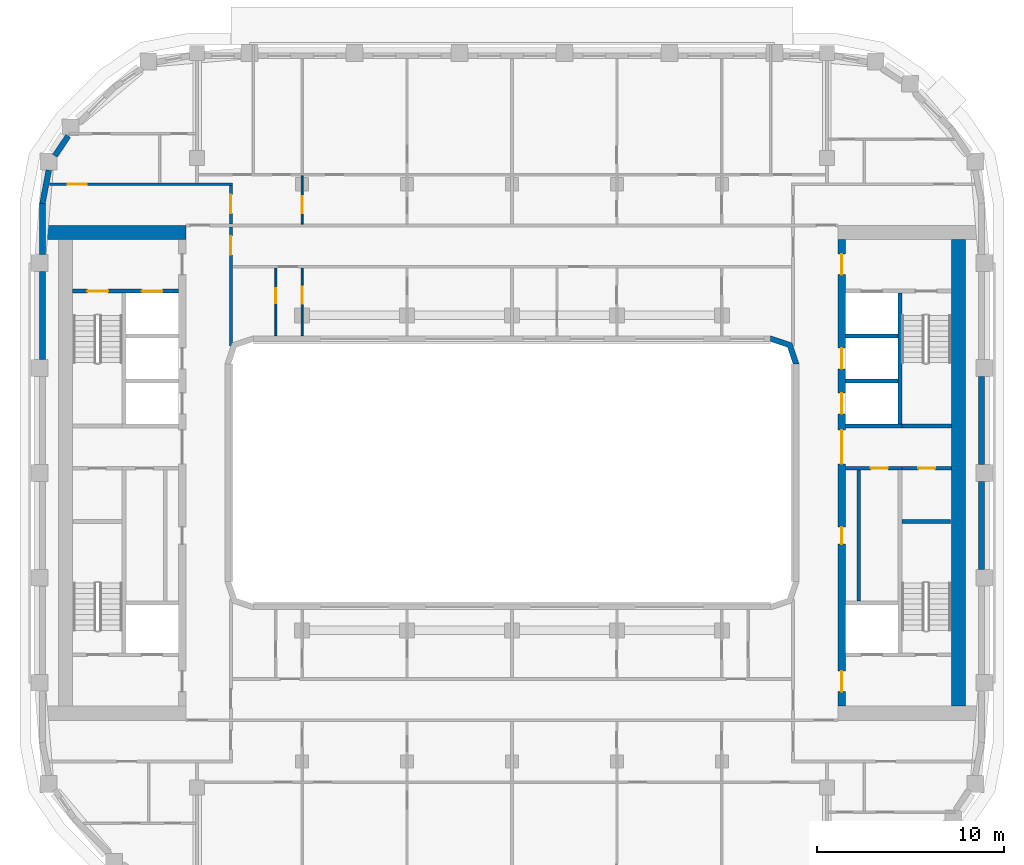
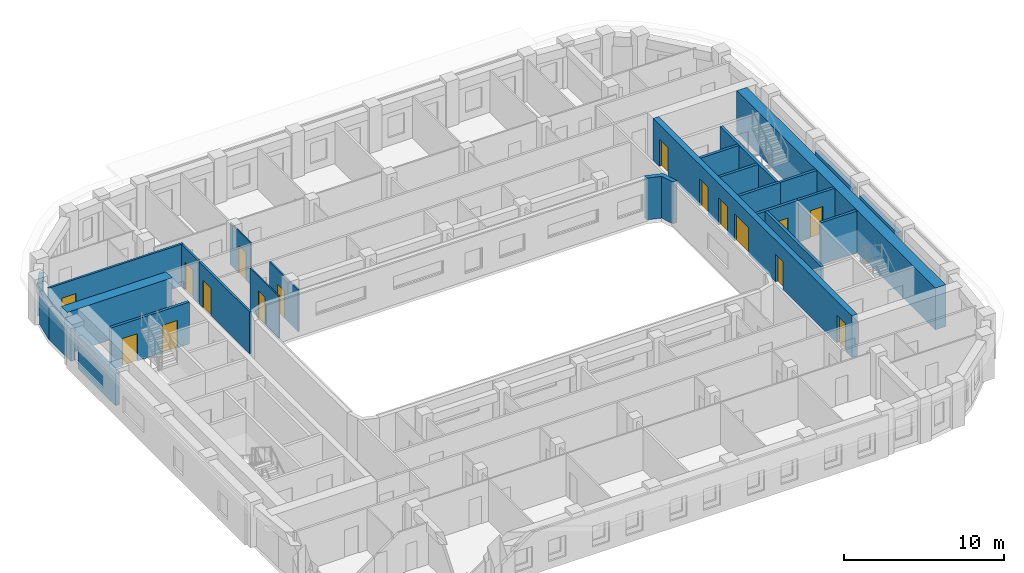
# One storey, part 6 of 20: 26 walls, 16 doors, 16 openings.
"""IFC4 building model written with IfcOpenShell, lengths in metres."""

from ifc_helpers import new_model, si_unit, direction, frame, frame_2d, origin, place, context, subcontext, project, spatial, polyline, rectangle, outline, extrude, material, layer, layer_set, type_object, element, fill, save


model = new_model("IFC4")

# Units and contexts
model_context = context("Model", 3, precision=1e-05, world=origin(), true_north=direction((0.0, 1.0)))
body_context = subcontext(model_context, "Body", "Model", "MODEL_VIEW")
ifc_project = project(units=[si_unit("LENGTHUNIT", "METRE"), si_unit("AREAUNIT", "SQUARE_METRE"), si_unit("VOLUMEUNIT", "CUBIC_METRE"), si_unit("PLANEANGLEUNIT", "RADIAN"), si_unit("MASSUNIT", "GRAM", prefix="KILO")], contexts=[model_context])

# Site, building, storey
site_placement = place(None, origin())
site = spatial("IfcSite", under=ifc_project, at=site_placement, CompositionType="ELEMENT")
building_placement = place(site_placement, origin())
building = spatial("IfcBuilding", under=site, at=building_placement, Name="Kiln Ring Residences", CompositionType="ELEMENT")
storey_placement = place(building_placement, frame((0.0, 0.0, 206.39990234375)))
storey = spatial("IfcBuildingStorey", under=building, at=storey_placement, Name="L53", CompositionType="ELEMENT", Elevation=206.39990234375)

# Wall, opening, door
ifc_material_1 = material(Name="Gypsum board on steel studs", Category="steel")
ifc_layer_1 = layer(ifc_material_1, 0.199951171875)
ifc_layer_set_1 = layer_set([ifc_layer_1], Name="CORE-PARTITION-200")
wall_type_1 = type_object("IfcWallType", Name="CORE-PARTITION-200", PredefinedType="PARTITIONING", material=ifc_layer_set_1)
wall_1_placement = place(storey_placement, frame((20.800048828125, 0.25, 0.0), z_axis=(0.0, 0.0, 1.0), x_axis=(1.0, 0.0, 0.0)))
wall_1 = element("IfcWall", 1, at=wall_1_placement, inside=storey, type_object=wall_type_1, Name="Core partition east L53 1", PredefinedType="PARTITIONING", context=body_context, shape_type="SweptSolid", body=[
    extrude(rectangle(XDim=2.64990234375, YDim=0.199951171875, at=frame_2d((1.324951171875, 0.0))), origin(), (0.0, 0.0, 1.0), 3.2001953125),
])
opening_1_placement = place(wall_1_placement, frame((0.875, 0.0, 0.0)))
opening_1 = element("IfcOpeningElement", 2, at=opening_1_placement, cuts=wall_1, Name="Opening L53-CE12", PredefinedType="OPENING", context=body_context, shape_type="SweptSolid", body=[
    extrude(rectangle(XDim=0.89990234375, YDim=2.10009765625, at=frame_2d((0.449951171875, 1.050048828125))), frame((0.0, 0.10986328125, 0.0), z_axis=(0.0, -1.0, 0.0), x_axis=(1.0, 0.0, 0.0)), (0.0, 0.0, 1.0), 0.219970703125),
])
ifc_material_2 = material(Name="Steel door leaf", Category="steel")
door_type_1 = type_object("IfcDoorType", Name="CORE-DOOR-ROOM", OperationType="SINGLE_SWING_LEFT", PredefinedType="DOOR", material=ifc_material_2)
door_1_placement = place(opening_1_placement, origin())
door_1 = element("IfcDoor", 3, at=door_1_placement, inside=storey, type_object=door_type_1, Name="Comms room L53-CE12", OperationType="SINGLE_SWING_LEFT", OverallHeight=2.10009765625, OverallWidth=0.89990234375, PredefinedType="DOOR", context=body_context, shape_type="SweptSolid", body=[
    extrude(rectangle(XDim=0.89990234375, YDim=2.10009765625, at=frame_2d((0.449951171875, 1.050048828125))), frame((0.0, 0.02490234375, 0.0), z_axis=(0.0, -1.0, 0.0), x_axis=(1.0, 0.0, 0.0)), (0.0, 0.0, 1.0), 0.050048828125),
])
fill(opening_1, door_1)

# Wall
wall_2_placement = place(storey_placement, frame((18.5, -6.85009765625, 0.0), z_axis=(0.0, 0.0, 1.0), x_axis=(0.0, 1.0, 0.0)))
element("IfcWall", 4, at=wall_2_placement, inside=storey, type_object=wall_type_1, Name="Core partition east L53 2", PredefinedType="PARTITIONING", context=body_context, shape_type="SweptSolid", body=[
    extrude(rectangle(XDim=7.0, YDim=0.199951171875, at=frame_2d((3.5, 0.0))), origin(), (0.0, 0.0, 1.0), 3.2001953125),
])

# Wall, opening, door
ifc_material_3 = material(Name="Gypsum shaft wall system")
ifc_layer_2 = layer(ifc_material_3, 0.199951171875)
ifc_layer_set_2 = layer_set([ifc_layer_2], Name="CORE-SHAFT-WALL-200")
wall_type_2 = type_object("IfcWallType", Name="CORE-SHAFT-WALL-200", PredefinedType="PARTITIONING", material=ifc_layer_set_2)
wall_3_placement = place(storey_placement, frame((17.800048828125, 0.25, 0.0), z_axis=(0.0, 0.0, 1.0), x_axis=(1.0, 0.0, 0.0)))
wall_3 = element("IfcWall", 5, at=wall_3_placement, inside=storey, type_object=wall_type_2, Name="Core partition east L53 4", PredefinedType="PARTITIONING", context=body_context, shape_type="SweptSolid", body=[
    extrude(rectangle(XDim=3.0, YDim=0.199951171875, at=frame_2d((1.5, 0.0))), origin(), (0.0, 0.0, 1.0), 3.2001953125),
])
opening_2_placement = place(wall_3_placement, frame((1.35009765625, 0.0, 0.0)))
opening_2 = element("IfcOpeningElement", 6, at=opening_2_placement, cuts=wall_3, Name="Opening L53-CE03", PredefinedType="OPENING", context=body_context, shape_type="SweptSolid", body=[
    extrude(rectangle(XDim=0.89990234375, YDim=2.10009765625, at=frame_2d((0.449951171875, 1.050048828125))), frame((0.0, 0.10986328125, 0.0), z_axis=(0.0, -1.0, 0.0), x_axis=(1.0, 0.0, 0.0)), (0.0, 0.0, 1.0), 0.219970703125),
])
door_2_placement = place(opening_2_placement, origin())
door_2 = element("IfcDoor", 7, at=door_2_placement, inside=storey, type_object=door_type_1, Name="Service store L53-CE03", OperationType="SINGLE_SWING_RIGHT", OverallHeight=2.10009765625, OverallWidth=0.89990234375, PredefinedType="DOOR", context=body_context, shape_type="SweptSolid", body=[
    extrude(rectangle(XDim=0.89990234375, YDim=2.10009765625, at=frame_2d((0.449951171875, 1.050048828125))), frame((0.0, 0.02490234375, 0.0), z_axis=(0.0, -1.0, 0.0), x_axis=(1.0, 0.0, 0.0)), (0.0, 0.0, 1.0), 0.050048828125),
])
fill(opening_2, door_2)

# Walls
wall_4_placement = place(storey_placement, frame((17.800048828125, 2.5, 0.0), z_axis=(0.0, 0.0, 1.0), x_axis=(1.0, 0.0, 0.0)))
element("IfcWall", 8, at=wall_4_placement, inside=storey, type_object=wall_type_2, Name="Core partition east L53 5", PredefinedType="PARTITIONING", context=body_context, shape_type="SweptSolid", body=[
    extrude(rectangle(XDim=3.0, YDim=0.199951171875, at=frame_2d((1.5, 0.0))), origin(), (0.0, 0.0, 1.0), 3.2001953125),
])
for number, where, z_axis, x_axis, name in (
    (9, (17.800048828125, 4.89990234375, 0.0), (0.0, 0.0, 1.0), (1.0, 0.0, 0.0), "Core partition east L53 6"),
    (10, (17.800048828125, 7.300048828125, 0.0), (0.0, 0.0, 1.0), (1.0, 0.0, 0.0), "Core partition east L53 7"),
):
    element("IfcWall", number, at=place(storey_placement, frame(where, z_axis=z_axis, x_axis=x_axis)), inside=storey, type_object=wall_type_2, Name=name, PredefinedType="PARTITIONING", context=body_context, shape_type="SweptSolid", body=[
        extrude(rectangle(XDim=2.800048828125, YDim=0.199951171875, at=frame_2d((1.39990234375, 0.0))), origin(), (0.0, 0.0, 1.0), 3.2001953125),
    ])

# Wall, openings, doors
ifc_material_4 = material(Name="Concrete C40/50", Category="concrete")
ifc_layer_3 = layer(ifc_material_4, 0.199951171875)
ifc_layer_set_3 = layer_set([ifc_layer_3], Name="CORE-WALL-RC200")
wall_type_3 = type_object("IfcWallType", Name="CORE-WALL-RC200", PredefinedType="SHEAR", material=ifc_layer_set_3)
wall_5_placement = place(storey_placement, frame((-17.800048828125, 9.699951171875, 0.0), z_axis=(0.0, 0.0, 1.0), x_axis=(-1.0, 0.0, 0.0)))
wall_5 = element("IfcWall", 11, at=wall_5_placement, inside=storey, type_object=wall_type_3, Name="Core wall west L53 9", PredefinedType="SHEAR", context=body_context, shape_type="SweptSolid", body=[
    extrude(rectangle(XDim=5.64990234375, YDim=0.199951171875, at=frame_2d((2.824951171875, 0.0))), origin(), (0.0, 0.0, 1.0), 3.2001953125),
])
opening_3_placement = place(wall_5_placement, frame((0.85009765625, 0.0, 0.0)))
opening_3 = element("IfcOpeningElement", 12, at=opening_3_placement, cuts=wall_5, Name="Opening L53-CW06", PredefinedType="OPENING", context=body_context, shape_type="SweptSolid", body=[
    extrude(rectangle(XDim=1.10009765625, YDim=2.10009765625, at=frame_2d((0.550048828125, 1.050048828125))), frame((0.0, 0.10986328125, 0.0), z_axis=(0.0, -1.0, 0.0), x_axis=(1.0, 0.0, 0.0)), (0.0, 0.0, 1.0), 0.219970703125),
])
opening_4_placement = place(wall_5_placement, frame((3.75, 0.0, 0.0)))
opening_4 = element("IfcOpeningElement", 13, at=opening_4_placement, cuts=wall_5, Name="Opening L53-CW09", PredefinedType="OPENING", context=body_context, shape_type="SweptSolid", body=[
    extrude(rectangle(XDim=1.10009765625, YDim=2.10009765625, at=frame_2d((0.550048828125, 1.050048828125))), frame((0.0, 0.10986328125, 0.0), z_axis=(0.0, -1.0, 0.0), x_axis=(1.0, 0.0, 0.0)), (0.0, 0.0, 1.0), 0.219970703125),
])
ifc_material_5 = material(Name="Steel door leaf", Category="steel")
door_type_2 = type_object("IfcDoorType", Name="CORE-DOOR-LD", OperationType="DOUBLE_DOOR_SLIDING", PredefinedType="DOOR", material=ifc_material_5)
door_3_placement = place(opening_3_placement, origin())
door_3 = element("IfcDoor", 14, at=door_3_placement, inside=storey, type_object=door_type_2, Name="LD W-FF L53-CW06", OperationType="DOUBLE_DOOR_SLIDING", OverallHeight=2.10009765625, OverallWidth=1.10009765625, PredefinedType="DOOR", context=body_context, shape_type="SweptSolid", body=[
    extrude(rectangle(XDim=1.10009765625, YDim=2.10009765625, at=frame_2d((0.550048828125, 1.050048828125))), frame((0.0, 0.02490234375, 0.0), z_axis=(0.0, -1.0, 0.0), x_axis=(1.0, 0.0, 0.0)), (0.0, 0.0, 1.0), 0.050048828125),
])
fill(opening_3, door_3)
ifc_material_6 = material(Name="Steel door leaf", Category="steel")
door_type_3 = type_object("IfcDoorType", Name="CORE-DOOR-STAIR", OperationType="SINGLE_SWING_LEFT", PredefinedType="DOOR", material=ifc_material_6)
door_4_placement = place(opening_4_placement, origin())
door_4 = element("IfcDoor", 15, at=door_4_placement, inside=storey, type_object=door_type_3, Name="Stair W-STN L53-CW09", OperationType="SINGLE_SWING_LEFT", OverallHeight=2.10009765625, OverallWidth=1.10009765625, PredefinedType="DOOR", context=body_context, shape_type="SweptSolid", body=[
    extrude(rectangle(XDim=1.10009765625, YDim=2.10009765625, at=frame_2d((0.550048828125, 1.050048828125))), frame((0.0, 0.02490234375, 0.0), z_axis=(0.0, -1.0, 0.0), x_axis=(1.0, 0.0, 0.0)), (0.0, 0.0, 1.0), 0.050048828125),
])
fill(opening_4, door_4)

# Walls
wall_6_placement = place(storey_placement, frame((20.699951171875, 2.60009765625, 0.0), z_axis=(0.0, 0.0, 1.0), x_axis=(0.0, 1.0, 0.0)))
element("IfcWall", 16, at=wall_6_placement, inside=storey, type_object=wall_type_3, Name="Core wall east L53 1", PredefinedType="SHEAR", context=body_context, shape_type="SweptSolid", body=[
    extrude(rectangle(XDim=7.0, YDim=0.199951171875, at=frame_2d((3.5, 0.0))), origin(), (0.0, 0.0, 1.0), 3.2001953125),
])
wall_7_placement = place(storey_placement, frame((20.800048828125, 2.5, 0.0), z_axis=(0.0, 0.0, 1.0), x_axis=(1.0, 0.0, 0.0)))
element("IfcWall", 17, at=wall_7_placement, inside=storey, type_object=wall_type_3, Name="Core wall east L53 3", PredefinedType="SHEAR", context=body_context, shape_type="SweptSolid", body=[
    extrude(rectangle(XDim=2.64990234375, YDim=0.199951171875, at=frame_2d((1.324951171875, 0.0))), origin(), (0.0, 0.0, 1.0), 3.2001953125),
])
wall_8_placement = place(storey_placement, frame((20.800048828125, -2.60009765625, 0.0), z_axis=(0.0, 0.0, 1.0), x_axis=(1.0, 0.0, 0.0)))
element("IfcWall", 18, at=wall_8_placement, inside=storey, type_object=wall_type_3, Name="Core wall east L53 10", PredefinedType="SHEAR", context=body_context, shape_type="SweptSolid", body=[
    extrude(rectangle(XDim=2.599853515625, YDim=0.199951171875, at=frame_2d((1.2998046875, 0.0))), origin(), (0.0, 0.0, 1.0), 3.2001953125),
])

# Wall, openings, doors
ifc_material_7 = material(Name="Concrete C60/75", Category="concrete")
ifc_layer_4 = layer(ifc_material_7, 0.39990234375)
ifc_layer_set_4 = layer_set([ifc_layer_4], Name="CORE-WALL-RC400")
wall_type_4 = type_object("IfcWallType", Name="CORE-WALL-RC400", PredefinedType="SHEAR", material=ifc_layer_set_4)
wall_9_placement = place(storey_placement, frame((17.60009765625, -12.449951171875, 0.0), z_axis=(0.0, 0.0, 1.0), x_axis=(0.0, 1.0, 0.0)))
wall_9 = element("IfcWall", 19, at=wall_9_placement, inside=storey, type_object=wall_type_4, Name="Core wall east L53 6", PredefinedType="SHEAR", context=body_context, shape_type="SweptSolid", body=[
    extrude(rectangle(XDim=24.89990234375, YDim=0.39990234375, at=frame_2d((12.449951171875, 0.0))), origin(), (0.0, 0.0, 1.0), 3.2001953125),
])
opening_5_placement = place(wall_9_placement, frame((8.64990234375, 0.0, 0.0)))
opening_5 = element("IfcOpeningElement", 20, at=opening_5_placement, cuts=wall_9, Name="Opening L53-CE02", PredefinedType="OPENING", context=body_context, shape_type="SweptSolid", body=[
    extrude(rectangle(XDim=0.89990234375, YDim=2.10009765625, at=frame_2d((0.449951171875, 1.050048828125))), frame((0.0, 0.2099609375, 0.0), z_axis=(0.0, -1.0, 0.0), x_axis=(1.0, 0.0, 0.0)), (0.0, 0.0, 1.0), 0.419921875),
])
opening_6_placement = place(wall_9_placement, frame((15.60009765625, 0.0, 0.0)))
opening_6 = element("IfcOpeningElement", 21, at=opening_6_placement, cuts=wall_9, Name="Opening L53-CE04", PredefinedType="OPENING", context=body_context, shape_type="SweptSolid", body=[
    extrude(rectangle(XDim=1.10009765625, YDim=2.10009765625, at=frame_2d((0.550048828125, 1.050048828125))), frame((0.0, 0.2099609375, 0.0), z_axis=(0.0, -1.0, 0.0), x_axis=(1.0, 0.0, 0.0)), (0.0, 0.0, 1.0), 0.419921875),
])
opening_7_placement = place(wall_9_placement, frame((18.0, 0.0, 0.0)))
opening_7 = element("IfcOpeningElement", 22, at=opening_7_placement, cuts=wall_9, Name="Opening L53-CE05", PredefinedType="OPENING", context=body_context, shape_type="SweptSolid", body=[
    extrude(rectangle(XDim=1.10009765625, YDim=2.10009765625, at=frame_2d((0.550048828125, 1.050048828125))), frame((0.0, 0.2099609375, 0.0), z_axis=(0.0, -1.0, 0.0), x_axis=(1.0, 0.0, 0.0)), (0.0, 0.0, 1.0), 0.419921875),
])
opening_8_placement = place(wall_9_placement, frame((23.02490234375, 0.0, 0.0)))
opening_8 = element("IfcOpeningElement", 23, at=opening_8_placement, cuts=wall_9, Name="Opening L53-CE07", PredefinedType="OPENING", context=body_context, shape_type="SweptSolid", body=[
    extrude(rectangle(XDim=1.10009765625, YDim=2.10009765625, at=frame_2d((0.550048828125, 1.050048828125))), frame((0.0, 0.2099609375, 0.0), z_axis=(0.0, -1.0, 0.0), x_axis=(1.0, 0.0, 0.0)), (0.0, 0.0, 1.0), 0.419921875),
])
opening_9_placement = place(wall_9_placement, frame((0.77490234375, 0.0, 0.0)))
opening_9 = element("IfcOpeningElement", 24, at=opening_9_placement, cuts=wall_9, Name="Opening L53-CE08", PredefinedType="OPENING", context=body_context, shape_type="SweptSolid", body=[
    extrude(rectangle(XDim=1.10009765625, YDim=2.10009765625, at=frame_2d((0.550048828125, 1.050048828125))), frame((0.0, 0.2099609375, 0.0), z_axis=(0.0, -1.0, 0.0), x_axis=(1.0, 0.0, 0.0)), (0.0, 0.0, 1.0), 0.419921875),
])
opening_10_placement = place(wall_9_placement, frame((12.925048828125, 0.0, 0.0)))
opening_10 = element("IfcOpeningElement", 25, at=opening_10_placement, cuts=wall_9, Name="Opening L53-CE11", PredefinedType="OPENING", context=body_context, shape_type="SweptSolid", body=[
    extrude(rectangle(XDim=1.800048828125, YDim=2.10009765625, at=frame_2d((0.89990234375, 1.050048828125))), frame((0.0, 0.2099609375, 0.0), z_axis=(0.0, -1.0, 0.0), x_axis=(1.0, 0.0, 0.0)), (0.0, 0.0, 1.0), 0.419921875),
])
door_5_placement = place(opening_6_placement, origin())
door_5 = element("IfcDoor", 26, at=door_5_placement, inside=storey, type_object=door_type_2, Name="LD E-M1 L53-CE04", OperationType="DOUBLE_DOOR_SLIDING", OverallHeight=2.10009765625, OverallWidth=1.10009765625, PredefinedType="DOOR", context=body_context, shape_type="SweptSolid", body=[
    extrude(rectangle(XDim=1.10009765625, YDim=2.10009765625, at=frame_2d((0.550048828125, 1.050048828125))), frame((0.0, 0.02490234375, 0.0), z_axis=(0.0, -1.0, 0.0), x_axis=(1.0, 0.0, 0.0)), (0.0, 0.0, 1.0), 0.050048828125),
])
fill(opening_6, door_5)
door_6_placement = place(opening_7_placement, origin())
door_6 = element("IfcDoor", 27, at=door_6_placement, inside=storey, type_object=door_type_2, Name="LD E-M2 L53-CE05", OperationType="DOUBLE_DOOR_SLIDING", OverallHeight=2.10009765625, OverallWidth=1.10009765625, PredefinedType="DOOR", context=body_context, shape_type="SweptSolid", body=[
    extrude(rectangle(XDim=1.10009765625, YDim=2.10009765625, at=frame_2d((0.550048828125, 1.050048828125))), frame((0.0, 0.02490234375, 0.0), z_axis=(0.0, -1.0, 0.0), x_axis=(1.0, 0.0, 0.0)), (0.0, 0.0, 1.0), 0.050048828125),
])
fill(opening_7, door_6)
ifc_material_8 = material(Name="Steel door leaf", Category="steel")
door_type_4 = type_object("IfcDoorType", Name="CORE-DOOR-LOBBY", OperationType="SINGLE_SWING_LEFT", PredefinedType="DOOR", material=ifc_material_8)
door_7_placement = place(opening_8_placement, origin())
door_7 = element("IfcDoor", 28, at=door_7_placement, inside=storey, type_object=door_type_4, Name="FFL L53-CE07", OperationType="SINGLE_SWING_LEFT", OverallHeight=2.10009765625, OverallWidth=1.10009765625, PredefinedType="DOOR", context=body_context, shape_type="SweptSolid", body=[
    extrude(rectangle(XDim=1.10009765625, YDim=2.10009765625, at=frame_2d((0.550048828125, 1.050048828125))), frame((0.0, 0.02490234375, 0.0), z_axis=(0.0, -1.0, 0.0), x_axis=(1.0, 0.0, 0.0)), (0.0, 0.0, 1.0), 0.050048828125),
])
fill(opening_8, door_7)
door_8_placement = place(opening_9_placement, origin())
door_8 = element("IfcDoor", 29, at=door_8_placement, inside=storey, type_object=door_type_4, Name="SVL L53-CE08", OperationType="SINGLE_SWING_RIGHT", OverallHeight=2.10009765625, OverallWidth=1.10009765625, PredefinedType="DOOR", context=body_context, shape_type="SweptSolid", body=[
    extrude(rectangle(XDim=1.10009765625, YDim=2.10009765625, at=frame_2d((0.550048828125, 1.050048828125))), frame((0.0, 0.02490234375, 0.0), z_axis=(0.0, -1.0, 0.0), x_axis=(1.0, 0.0, 0.0)), (0.0, 0.0, 1.0), 0.050048828125),
])
fill(opening_9, door_8)
ifc_material_9 = material(Name="Steel door leaf", Category="steel")
door_type_5 = type_object("IfcDoorType", Name="CORE-DOOR-PASS", OperationType="DOUBLE_DOOR_SINGLE_SWING", PredefinedType="DOOR", material=ifc_material_9)
door_9_placement = place(opening_10_placement, origin())
door_9 = element("IfcDoor", 30, at=door_9_placement, inside=storey, type_object=door_type_5, Name="Core passage L53-CE11", OperationType="DOUBLE_DOOR_SINGLE_SWING", OverallHeight=2.10009765625, OverallWidth=1.800048828125, PredefinedType="DOOR", context=body_context, shape_type="SweptSolid", body=[
    extrude(rectangle(XDim=1.800048828125, YDim=2.10009765625, at=frame_2d((0.89990234375, 1.050048828125))), frame((0.0, 0.02490234375, 0.0), z_axis=(0.0, -1.0, 0.0), x_axis=(1.0, 0.0, 0.0)), (0.0, 0.0, 1.0), 0.050048828125),
])
fill(opening_10, door_9)
door_10_placement = place(opening_5_placement, origin())
door_10 = element("IfcDoor", 31, at=door_10_placement, inside=storey, type_object=door_type_1, Name="Locker store L53-CE02", OperationType="SINGLE_SWING_LEFT", OverallHeight=2.10009765625, OverallWidth=0.89990234375, PredefinedType="DOOR", context=body_context, shape_type="SweptSolid", body=[
    extrude(rectangle(XDim=0.89990234375, YDim=2.10009765625, at=frame_2d((0.449951171875, 1.050048828125))), frame((0.0, 0.02490234375, 0.0), z_axis=(0.0, -1.0, 0.0), x_axis=(1.0, 0.0, 0.0)), (0.0, 0.0, 1.0), 0.050048828125),
])
fill(opening_5, door_10)

# Walls
ifc_material_10 = material(Name="Concrete C60/75", Category="concrete")
ifc_layer_5 = layer(ifc_material_10, 0.75)
ifc_layer_set_5 = layer_set([ifc_layer_5], Name="CORE-WALL-RC750")
wall_type_5 = type_object("IfcWallType", Name="CORE-WALL-RC750", PredefinedType="SHEAR", material=ifc_layer_set_5)
wall_10_placement = place(storey_placement, frame((-17.39990234375, 12.824951171875, 0.0), z_axis=(0.0, 0.0, 1.0), x_axis=(-1.0, 0.0, 0.0)))
element("IfcWall", 32, at=wall_10_placement, inside=storey, type_object=wall_type_5, Name="Core wall west L53 4", PredefinedType="SHEAR", context=body_context, shape_type="SweptSolid", body=[
    extrude(rectangle(XDim=7.60009765625, YDim=0.75, at=frame_2d((3.800048828125, 0.0))), origin(), (0.0, 0.0, 1.0), 3.2001953125),
])
wall_11_placement = place(storey_placement, frame((23.824951171875, -12.449951171875, 0.0), z_axis=(0.0, 0.0, 1.0), x_axis=(0.0, 1.0, 0.0)))
element("IfcWall", 33, at=wall_11_placement, inside=storey, type_object=wall_type_5, Name="Core wall east L53 7", PredefinedType="SHEAR", context=body_context, shape_type="SweptSolid", body=[
    extrude(rectangle(XDim=24.89990234375, YDim=0.75, at=frame_2d((12.449951171875, 0.0))), origin(), (0.0, 0.0, 1.0), 3.2001953125),
])
ifc_material_11 = material(Name="Brick masonry, dark clay brick", Category="masonry")
ifc_layer_6 = layer(ifc_material_11, 0.300048828125)
ifc_layer_set_6 = layer_set([ifc_layer_6], Name="EW-300 BRICK WALL")
wall_type_6 = type_object("IfcWallType", Name="EW-300 BRICK WALL", PredefinedType="SOLIDWALL", material=ifc_layer_set_6)
for number, where, z_axis, x_axis, name in (
    (34, (25.050048828125, -5.14990234375, 0.0), (0.0, 0.0, 1.0), (0.0, 1.0, 0.0), "Facade wall L53 18"),
    (35, (25.050048828125, 0.449951171875, 0.0), (0.0, 0.0, 1.0), (0.0, 1.0, 0.0), "Facade wall L53 19"),
):
    element("IfcWall", number, at=place(storey_placement, frame(where, z_axis=z_axis, x_axis=x_axis)), inside=storey, type_object=wall_type_6, Name=name, PredefinedType="SOLIDWALL", context=body_context, shape_type="SweptSolid", body=[
        extrude(rectangle(XDim=4.699951171875, YDim=0.300048828125, at=frame_2d((2.35009765625, 0.0))), origin(), (0.0, 0.0, 1.0), 2.5),
    ])
wall_12_placement = place(storey_placement, frame((-23.67626953125, 17.975341796875, 0.0), z_axis=(0.0, 0.0, 1.0), x_axis=(-0.56200149592, -0.827136215253, 0.0)))
element("IfcWall", 36, at=wall_12_placement, inside=storey, type_object=wall_type_6, Name="Facade wall L53 37", PredefinedType="SOLIDWALL", context=body_context, shape_type="SweptSolid", body=[
    extrude(rectangle(XDim=1.277099609375, YDim=0.300048828125, at=frame_2d((0.638671875, 0.0))), origin(), (0.0, 0.0, 1.0), 2.5),
])
wall_13_placement = place(storey_placement, frame((-24.71435546875, 16.14599609375, 0.0), z_axis=(0.0, 0.0, 1.0), x_axis=(-0.187348135549, -0.982293579388, 0.0)))
element("IfcWall", 37, at=wall_13_placement, inside=storey, type_object=wall_type_6, Name="Facade wall L53 38", PredefinedType="SOLIDWALL", context=body_context, shape_type="SweptSolid", body=[
    extrude(rectangle(XDim=1.80615234375, YDim=0.300048828125, at=frame_2d((0.903076171875, 0.0))), origin(), (0.0, 0.0, 1.0), 2.5),
])
wall_14_placement = place(storey_placement, frame((-25.050048828125, 14.39990234375, 0.0), z_axis=(0.0, 0.0, 1.0), x_axis=(0.0, -1.0, 0.0)))
element("IfcWall", 38, at=wall_14_placement, inside=storey, type_object=wall_type_6, Name="Facade wall L53 39", PredefinedType="SOLIDWALL", context=body_context, shape_type="SweptSolid", body=[
    extrude(rectangle(XDim=2.75, YDim=0.300048828125, at=frame_2d((1.375, 0.0))), origin(), (0.0, 0.0, 1.0), 2.5),
])
wall_15_placement = place(storey_placement, frame((-25.050048828125, 10.75, 0.0), z_axis=(0.0, 0.0, 1.0), x_axis=(0.0, -1.0, 0.0)))
element("IfcWall", 39, at=wall_15_placement, inside=storey, type_object=wall_type_6, Name="Facade wall L53 40", PredefinedType="SOLIDWALL", context=body_context, shape_type="SweptSolid", body=[
    extrude(rectangle(XDim=4.699951171875, YDim=0.300048828125, at=frame_2d((2.35009765625, 0.0))), origin(), (0.0, 0.0, 1.0), 2.5),
])
wall_16_placement = place(storey_placement, origin())
element("IfcWall", 40, at=wall_16_placement, inside=storey, type_object=wall_type_6, Name="Corner wall L53 2", PredefinedType="SOLIDWALL", context=body_context, shape_type="SweptSolid", body=[
    extrude(outline(polyline([(14.937255859375, 6.937255859375), (13.8486328125, 7.300048828125), (13.800048828125, 7.300048828125), (13.800048828125, 7.0), (14.699951171875, 6.699951171875), (15.0, 5.800048828125), (15.300048828125, 5.800048828125), (15.300048828125, 5.8486328125), (14.937255859375, 6.937255859375)])), origin(), (0.0, 0.0, 1.0), 3.2001953125),
])

# Wall, opening, door
ifc_material_12 = material(Name="Gypsum board on steel studs", Category="steel")
ifc_layer_7 = layer(ifc_material_12, 0.10009765625)
ifc_layer_set_7 = layer_set([ifc_layer_7], Name="PARTITION-100")
wall_type_7 = type_object("IfcWallType", Name="PARTITION-100", PredefinedType="PARTITIONING", material=ifc_layer_set_7)
wall_17_placement = place(storey_placement, frame((-12.60009765625, 7.320068359375, 0.0), z_axis=(0.0, 0.0, 1.0), x_axis=(0.0, 1.0, 0.0)))
wall_17 = element("IfcWall", 41, at=wall_17_placement, inside=storey, type_object=wall_type_7, Name="Partition 024", PredefinedType="PARTITIONING", context=body_context, shape_type="SweptSolid", body=[
    extrude(rectangle(XDim=3.60498046875, YDim=0.10009765625, at=frame_2d((1.802490234375, 0.0))), origin(), (0.0, 0.0, 1.0), 3.2001953125),
])
opening_11_placement = place(wall_17_placement, frame((1.72900390625, 0.0, 0.0)))
opening_11 = element("IfcOpeningElement", 42, at=opening_11_placement, cuts=wall_17, Name="Opening L53-D010", PredefinedType="OPENING", context=body_context, shape_type="SweptSolid", body=[
    extrude(rectangle(XDim=0.800048828125, YDim=2.10009765625, at=frame_2d((0.39990234375, 1.050048828125))), frame((0.0, 0.06005859375, 0.0), z_axis=(0.0, -1.0, 0.0), x_axis=(1.0, 0.0, 0.0)), (0.0, 0.0, 1.0), 0.1201171875),
])
ifc_material_13 = material(Name="Timber door leaf", Category="wood")
door_type_6 = type_object("IfcDoorType", Name="FLAT-DOOR-800-PL", OperationType="SINGLE_SWING_LEFT", PredefinedType="DOOR", material=ifc_material_13)
door_11_placement = place(opening_11_placement, origin())
door_11 = element("IfcDoor", 43, at=door_11_placement, inside=storey, type_object=door_type_6, Name="Door L53-D010", OperationType="SINGLE_SWING_LEFT", OverallHeight=2.10009765625, OverallWidth=0.800048828125, PredefinedType="DOOR", context=body_context, shape_type="SweptSolid", body=[
    extrude(rectangle(XDim=0.800048828125, YDim=2.10009765625, at=frame_2d((0.39990234375, 1.050048828125))), frame((0.0, 0.02490234375, 0.0), z_axis=(0.0, -1.0, 0.0), x_axis=(1.0, 0.0, 0.0)), (0.0, 0.0, 1.0), 0.050048828125),
])
fill(opening_11, door_11)

wall_18_placement = place(storey_placement, frame((-11.199951171875, 7.320068359375, 0.0), z_axis=(0.0, 0.0, 1.0), x_axis=(0.0, 1.0, 0.0)))
wall_18 = element("IfcWall", 44, at=wall_18_placement, inside=storey, type_object=wall_type_7, Name="Partition 028", PredefinedType="PARTITIONING", context=body_context, shape_type="SweptSolid", body=[
    extrude(rectangle(XDim=3.60498046875, YDim=0.10009765625, at=frame_2d((1.802490234375, 0.0))), origin(), (0.0, 0.0, 1.0), 3.2001953125),
])
opening_12_placement = place(wall_18_placement, frame((1.699951171875, 0.0, 0.0)))
opening_12 = element("IfcOpeningElement", 45, at=opening_12_placement, cuts=wall_18, Name="Opening L53-D011", PredefinedType="OPENING", context=body_context, shape_type="SweptSolid", body=[
    extrude(rectangle(XDim=0.89990234375, YDim=2.10009765625, at=frame_2d((0.449951171875, 1.050048828125))), frame((0.0, 0.06005859375, 0.0), z_axis=(0.0, -1.0, 0.0), x_axis=(1.0, 0.0, 0.0)), (0.0, 0.0, 1.0), 0.1201171875),
])
ifc_material_14 = material(Name="Timber door leaf", Category="wood")
door_type_7 = type_object("IfcDoorType", Name="FLAT-DOOR-900-PL", OperationType="SINGLE_SWING_LEFT", PredefinedType="DOOR", material=ifc_material_14)
door_12_placement = place(opening_12_placement, origin())
door_12 = element("IfcDoor", 46, at=door_12_placement, inside=storey, type_object=door_type_7, Name="Door L53-D011", OperationType="SINGLE_SWING_RIGHT", OverallHeight=2.10009765625, OverallWidth=0.89990234375, PredefinedType="DOOR", context=body_context, shape_type="SweptSolid", body=[
    extrude(rectangle(XDim=0.89990234375, YDim=2.10009765625, at=frame_2d((0.449951171875, 1.050048828125))), frame((0.0, 0.02490234375, 0.0), z_axis=(0.0, -1.0, 0.0), x_axis=(1.0, 0.0, 0.0)), (0.0, 0.0, 1.0), 0.050048828125),
])
fill(opening_12, door_12)

wall_19_placement = place(storey_placement, frame((-11.199951171875, 13.27490234375, 0.0), z_axis=(0.0, 0.0, 1.0), x_axis=(0.0, 1.0, 0.0)))
wall_19 = element("IfcWall", 47, at=wall_19_placement, inside=storey, type_object=wall_type_7, Name="Partition 029", PredefinedType="PARTITIONING", context=body_context, shape_type="SweptSolid", body=[
    extrude(rectangle(XDim=2.5751953125, YDim=0.10009765625, at=frame_2d((1.28759765625, 0.0))), origin(), (0.0, 0.0, 1.0), 3.2001953125),
])
opening_13_placement = place(wall_19_placement, frame((0.575927734375, 0.0, 0.0)))
opening_13 = element("IfcOpeningElement", 48, at=opening_13_placement, cuts=wall_19, Name="Opening L53-D018", PredefinedType="OPENING", context=body_context, shape_type="SweptSolid", body=[
    extrude(rectangle(XDim=0.89990234375, YDim=2.10009765625, at=frame_2d((0.449951171875, 1.050048828125))), frame((0.0, 0.06005859375, 0.0), z_axis=(0.0, -1.0, 0.0), x_axis=(1.0, 0.0, 0.0)), (0.0, 0.0, 1.0), 0.1201171875),
])
door_13_placement = place(opening_13_placement, origin())
door_13 = element("IfcDoor", 49, at=door_13_placement, inside=storey, type_object=door_type_7, Name="Door L53-D018", OperationType="SINGLE_SWING_LEFT", OverallHeight=2.10009765625, OverallWidth=0.89990234375, PredefinedType="DOOR", context=body_context, shape_type="SweptSolid", body=[
    extrude(rectangle(XDim=0.89990234375, YDim=2.10009765625, at=frame_2d((0.449951171875, 1.050048828125))), frame((0.0, 0.02490234375, 0.0), z_axis=(0.0, -1.0, 0.0), x_axis=(1.0, 0.0, 0.0)), (0.0, 0.0, 1.0), 0.050048828125),
])
fill(opening_13, door_13)

ifc_material_15 = material(Name="Brick masonry partition", Category="masonry")
ifc_layer_8 = layer(ifc_material_15, 0.14990234375)
ifc_layer_set_8 = layer_set([ifc_layer_8], Name="PARTITION-150-ei60")
wall_type_8 = type_object("IfcWallType", Name="PARTITION-150-ei60", PredefinedType="PARTITIONING", material=ifc_layer_set_8)
wall_20_placement = place(storey_placement, frame((-24.683837890625, 15.39990234375, 0.0), z_axis=(0.0, 0.0, 1.0), x_axis=(1.0, 0.0, 0.0)))
wall_20 = element("IfcWall", 50, at=wall_20_placement, inside=storey, type_object=wall_type_8, Name="Partition 009", PredefinedType="PARTITIONING", context=body_context, shape_type="SweptSolid", body=[
    extrude(rectangle(XDim=9.7587890625, YDim=0.14990234375, at=frame_2d((4.87939453125, 0.0))), origin(), (0.0, 0.0, 1.0), 3.2001953125),
])
opening_14_placement = place(wall_20_placement, frame((0.98388671875, 0.0, 0.0)))
opening_14 = element("IfcOpeningElement", 51, at=opening_14_placement, cuts=wall_20, Name="Opening L53-D034", PredefinedType="OPENING", context=body_context, shape_type="SweptSolid", body=[
    extrude(rectangle(XDim=1.0, YDim=2.10009765625, at=frame_2d((0.5, 1.050048828125))), frame((0.0, 0.0849609375, 0.0), z_axis=(0.0, -1.0, 0.0), x_axis=(1.0, 0.0, 0.0)), (0.0, 0.0, 1.0), 0.169921875),
])
ifc_material_16 = material(Name="Steel faced fire door leaf", Category="steel")
door_type_8 = type_object("IfcDoorType", Name="FLAT-DOOR-1000-FR", OperationType="SINGLE_SWING_LEFT", PredefinedType="DOOR", material=ifc_material_16)
door_14_placement = place(opening_14_placement, origin())
door_14 = element("IfcDoor", 52, at=door_14_placement, inside=storey, type_object=door_type_8, Name="Door L53-D034", OperationType="SINGLE_SWING_RIGHT", OverallHeight=2.10009765625, OverallWidth=1.0, PredefinedType="DOOR", context=body_context, shape_type="SweptSolid", body=[
    extrude(rectangle(XDim=1.0, YDim=2.10009765625, at=frame_2d((0.5, 1.050048828125))), frame((0.0, 0.02490234375, 0.0), z_axis=(0.0, -1.0, 0.0), x_axis=(1.0, 0.0, 0.0)), (0.0, 0.0, 1.0), 0.050048828125),
])
fill(opening_14, door_14)

wall_21_placement = place(storey_placement, frame((-15.0, 6.768798828125, 0.0), z_axis=(0.0, 0.0, 1.0), x_axis=(0.0, 1.0, 0.0)))
wall_21 = element("IfcWall", 53, at=wall_21_placement, inside=storey, type_object=wall_type_8, Name="Partition 020", PredefinedType="PARTITIONING", context=body_context, shape_type="SweptSolid", body=[
    extrude(rectangle(XDim=6.356201171875, YDim=0.14990234375, at=frame_2d((3.17822265625, 0.0))), origin(), (0.0, 0.0, 1.0), 3.2001953125),
])
opening_15_placement = place(wall_21_placement, frame((4.860107421875, 0.0, 0.0)))
opening_15 = element("IfcOpeningElement", 54, at=opening_15_placement, cuts=wall_21, Name="Opening L53-D001", PredefinedType="OPENING", context=body_context, shape_type="SweptSolid", body=[
    extrude(rectangle(XDim=1.0, YDim=2.10009765625, at=frame_2d((0.5, 1.050048828125))), frame((0.0, 0.0849609375, 0.0), z_axis=(0.0, -1.0, 0.0), x_axis=(1.0, 0.0, 0.0)), (0.0, 0.0, 1.0), 0.169921875),
])
door_15_placement = place(opening_15_placement, origin())
door_15 = element("IfcDoor", 55, at=door_15_placement, inside=storey, type_object=door_type_8, Name="Door L53-D001", OperationType="SINGLE_SWING_RIGHT", OverallHeight=2.10009765625, OverallWidth=1.0, PredefinedType="DOOR", context=body_context, shape_type="SweptSolid", body=[
    extrude(rectangle(XDim=1.0, YDim=2.10009765625, at=frame_2d((0.5, 1.050048828125))), frame((0.0, 0.02490234375, 0.0), z_axis=(0.0, -1.0, 0.0), x_axis=(1.0, 0.0, 0.0)), (0.0, 0.0, 1.0), 0.050048828125),
])
fill(opening_15, door_15)

wall_22_placement = place(storey_placement, frame((-15.0, 13.27490234375, 0.0), z_axis=(0.0, 0.0, 1.0), x_axis=(0.0, 1.0, 0.0)))
wall_22 = element("IfcWall", 56, at=wall_22_placement, inside=storey, type_object=wall_type_8, Name="Partition 021", PredefinedType="PARTITIONING", context=body_context, shape_type="SweptSolid", body=[
    extrude(rectangle(XDim=2.050048828125, YDim=0.14990234375, at=frame_2d((1.02490234375, 0.0))), origin(), (0.0, 0.0, 1.0), 3.2001953125),
])
opening_16_placement = place(wall_22_placement, frame((0.575927734375, 0.0, 0.0)))
opening_16 = element("IfcOpeningElement", 57, at=opening_16_placement, cuts=wall_22, Name="Opening L53-D017", PredefinedType="OPENING", context=body_context, shape_type="SweptSolid", body=[
    extrude(rectangle(XDim=1.0, YDim=2.10009765625, at=frame_2d((0.5, 1.050048828125))), frame((0.0, 0.0849609375, 0.0), z_axis=(0.0, -1.0, 0.0), x_axis=(1.0, 0.0, 0.0)), (0.0, 0.0, 1.0), 0.169921875),
])
door_16_placement = place(opening_16_placement, origin())
door_16 = element("IfcDoor", 58, at=door_16_placement, inside=storey, type_object=door_type_8, Name="Door L53-D017", OperationType="SINGLE_SWING_LEFT", OverallHeight=2.10009765625, OverallWidth=1.0, PredefinedType="DOOR", context=body_context, shape_type="SweptSolid", body=[
    extrude(rectangle(XDim=1.0, YDim=2.10009765625, at=frame_2d((0.5, 1.050048828125))), frame((0.0, 0.02490234375, 0.0), z_axis=(0.0, -1.0, 0.0), x_axis=(1.0, 0.0, 0.0)), (0.0, 0.0, 1.0), 0.050048828125),
])
fill(opening_16, door_16)

save(model, "model.ifc")
